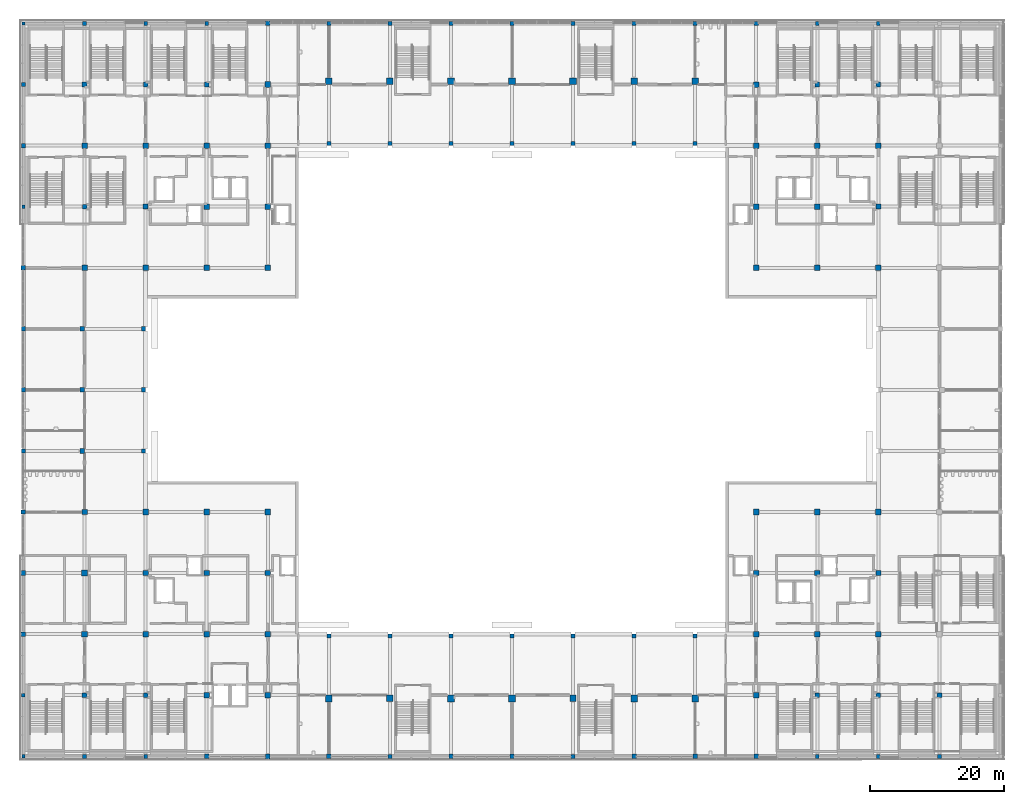
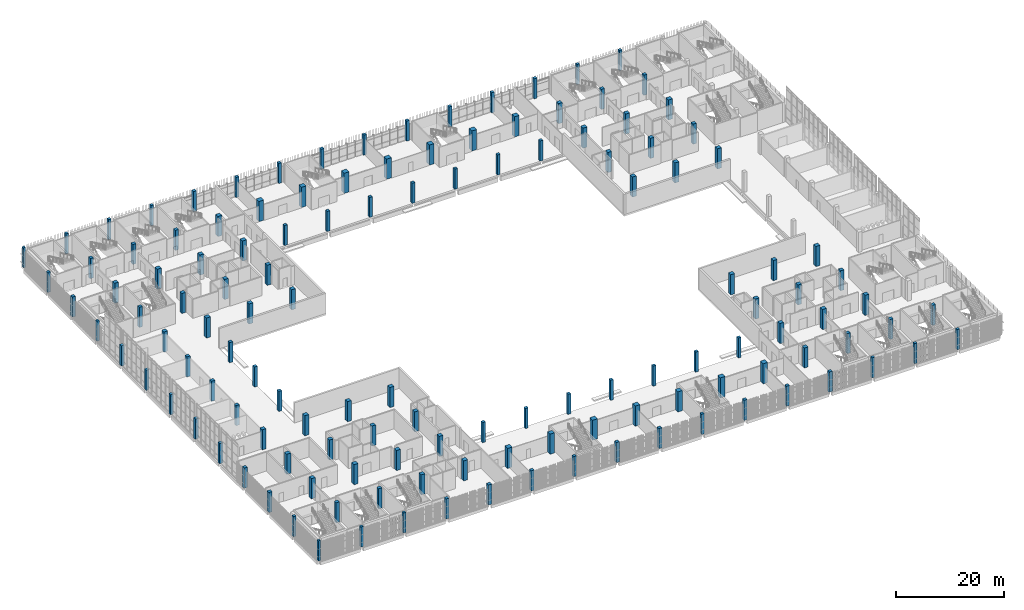
# One storey, part 1 of 126: 133 columns.
"""IFC4 building model written with IfcOpenShell, lengths in metres."""

from ifc_helpers import new_model, si_unit, direction, frame, origin, origin_2d, place, context, subcontext, project, spatial, rectangle, extrude, material, material_profile, profile_set, type_object, element, save


model = new_model("IFC4")

# Units and contexts
model_context = context("Model", 3, precision=1e-05, world=origin(), true_north=direction((0.0, 1.0)))
body_context = subcontext(model_context, "Body", "Model", "MODEL_VIEW")
ifc_project = project(units=[si_unit("LENGTHUNIT", "METRE"), si_unit("AREAUNIT", "SQUARE_METRE"), si_unit("VOLUMEUNIT", "CUBIC_METRE"), si_unit("PLANEANGLEUNIT", "RADIAN"), si_unit("MASSUNIT", "GRAM", prefix="KILO")], contexts=[model_context])

# Site, building, storey
site_placement = place(None, origin())
site = spatial("IfcSite", under=ifc_project, at=site_placement, CompositionType="ELEMENT")
building_placement = place(site_placement, origin())
building = spatial("IfcBuilding", under=site, at=building_placement, Name="Shirokan Park Arena", CompositionType="ELEMENT")
storey_placement = place(building_placement, frame((0.0, 0.0, 6.3701171875)))
storey = spatial("IfcBuildingStorey", under=building, at=storey_placement, Name="L01", CompositionType="ELEMENT", Elevation=6.3701171875)

# Columns
ifc_material = material(Name="Concrete C35", Category="concrete")
ifc_material_profile_1 = material_profile(ifc_material, rectangle(XDim=1.0, YDim=1.0, at=origin_2d()), Name="1000x1000")
ifc_profile_set_1 = profile_set([ifc_material_profile_1], Name="Concrete C35")
column_type_1 = type_object("IfcColumnType", Name="RC column 1000x1000", PredefinedType="COLUMN", material=ifc_profile_set_1)
for number, where, z_axis, x_axis, name in (
    (1, (45.5, 8.60009765625, 0.0), (0.0, 0.0, 1.0), (1.0, 0.0, 0.0), "Column 6B L01"),
    (2, (45.5, 100.60009765625, 0.0), (0.0, 0.0, 1.0), (1.0, 0.0, 0.0), "Column 6M L01"),
    (3, (54.60009765625, 100.60009765625, 0.0), (0.0, 0.0, 1.0), (1.0, 0.0, 0.0), "Column 7M L01"),
    (4, (63.699951171875, 8.60009765625, 0.0), (0.0, 0.0, 1.0), (1.0, 0.0, 0.0), "Column 8B L01"),
    (5, (63.699951171875, 100.60009765625, 0.0), (0.0, 0.0, 1.0), (1.0, 0.0, 0.0), "Column 8M L01"),
    (6, (72.800048828125, 8.60009765625, 0.0), (0.0, 0.0, 1.0), (1.0, 0.0, 0.0), "Column 9B L01"),
    (7, (72.800048828125, 100.60009765625, 0.0), (0.0, 0.0, 1.0), (1.0, 0.0, 0.0), "Column 9M L01"),
    (8, (81.89990234375, 100.60009765625, 0.0), (0.0, 0.0, 1.0), (1.0, 0.0, 0.0), "Column 10M L01"),
    (9, (91.0, 8.60009765625, 0.0), (0.0, 0.0, 1.0), (1.0, 0.0, 0.0), "Column 11B L01"),
    (10, (91.0, 100.60009765625, 0.0), (0.0, 0.0, 1.0), (1.0, 0.0, 0.0), "Column 11M L01"),
    (11, (100.10009765625, 8.60009765625, 0.0), (0.0, 0.0, 1.0), (1.0, 0.0, 0.0), "Column 12B L01"),
    (12, (100.10009765625, 100.60009765625, 0.0), (0.0, 0.0, 1.0), (1.0, 0.0, 0.0), "Column 12M L01"),
):
    element("IfcColumn", number, at=place(storey_placement, frame(where, z_axis=z_axis, x_axis=x_axis)), inside=storey, type_object=column_type_1, Name=name, PredefinedType="COLUMN", context=body_context, shape_type="SweptSolid", body=[
        extrude(rectangle(XDim=1.0, YDim=1.0, at=origin_2d()), origin(), (0.0, 0.0, 1.0), 4.5498046875),
    ])
ifc_material_profile_2 = material_profile(ifc_material, rectangle(XDim=0.5, YDim=0.5, at=origin_2d()), Name="500x500")
ifc_profile_set_2 = profile_set([ifc_material_profile_2], Name="Concrete C35")
column_type_2 = type_object("IfcColumnType", Name="RC column 500x500", PredefinedType="COLUMN", material=ifc_profile_set_2)
for number, where, z_axis, x_axis, name in (
    (13, (0.0, 0.0, 0.0), (0.0, 0.0, 1.0), (1.0, 0.0, 0.0), "Column 1A L01"),
    (14, (0.0, 81.89990234375, 0.0), (0.0, 0.0, 1.0), (1.0, 0.0, 0.0), "Column 1K L01"),
    (15, (0.0, 109.199951171875, 0.0), (0.0, 0.0, 1.0), (1.0, 0.0, 0.0), "Column 1N L01"),
):
    element("IfcColumn", number, at=place(storey_placement, frame(where, z_axis=z_axis, x_axis=x_axis)), inside=storey, type_object=column_type_2, Name=name, PredefinedType="COLUMN", context=body_context, shape_type="SweptSolid", body=[
        extrude(rectangle(XDim=0.5, YDim=0.5, at=origin_2d()), origin(), (0.0, 0.0, 1.0), 4.5498046875),
    ])
ifc_material_profile_3 = material_profile(ifc_material, rectangle(XDim=0.550048828125, YDim=0.550048828125, at=origin_2d()), Name="550x550")
ifc_profile_set_3 = profile_set([ifc_material_profile_3], Name="Concrete C35")
column_type_3 = type_object("IfcColumnType", Name="RC column 550x550", PredefinedType="COLUMN", material=ifc_profile_set_3)
for number, where, z_axis, x_axis, name in (
    (16, (-0.02490234375, 9.10009765625, 0.0), (0.0, 0.0, 1.0), (1.0, 0.0, 0.0), "Column 1B L01"),
    (17, (0.0, 100.10009765625, 0.0), (0.0, 0.0, 1.0), (1.0, 0.0, 0.0), "Column 1M L01"),
    (18, (9.10009765625, -0.02490234375, 0.0), (0.0, 0.0, 1.0), (1.0, 0.0, 0.0), "Column 2A L01"),
    (19, (9.10009765625, 109.199951171875, 0.0), (0.0, 0.0, 1.0), (1.0, 0.0, 0.0), "Column 2N L01"),
    (20, (18.199951171875, -0.02490234375, 0.0), (0.0, 0.0, 1.0), (1.0, 0.0, 0.0), "Column 3A L01"),
    (21, (18.199951171875, 109.199951171875, 0.0), (0.0, 0.0, 1.0), (1.0, 0.0, 0.0), "Column 3N L01"),
    (22, (27.300048828125, 109.199951171875, 0.0), (0.0, 0.0, 1.0), (1.0, 0.0, 0.0), "Column 4N L01"),
    (23, (118.300048828125, -0.02490234375, 0.0), (0.0, 0.0, 1.0), (1.0, 0.0, 0.0), "Column 14A L01"),
    (24, (118.300048828125, 109.199951171875, 0.0), (0.0, 0.0, 1.0), (1.0, 0.0, 0.0), "Column 14N L01"),
    (25, (127.39990234375, -0.02490234375, 0.0), (0.0, 0.0, 1.0), (1.0, 0.0, 0.0), "Column 15A L01"),
    (26, (127.39990234375, 109.199951171875, 0.0), (0.0, 0.0, 1.0), (1.0, 0.0, 0.0), "Column 15N L01"),
    (27, (136.5, -0.02490234375, 0.0), (0.0, 0.0, 1.0), (1.0, 0.0, 0.0), "Column 16A L01"),
):
    element("IfcColumn", number, at=place(storey_placement, frame(where, z_axis=z_axis, x_axis=x_axis)), inside=storey, type_object=column_type_3, Name=name, PredefinedType="COLUMN", context=body_context, shape_type="SweptSolid", body=[
        extrude(rectangle(XDim=0.550048828125, YDim=0.550048828125, at=origin_2d()), origin(), (0.0, 0.0, 1.0), 4.5498046875),
    ])
ifc_material_profile_4 = material_profile(ifc_material, rectangle(XDim=0.60009765625, YDim=0.60009765625, at=origin_2d()), Name="600x600")
ifc_profile_set_4 = profile_set([ifc_material_profile_4], Name="Concrete C35")
column_type_4 = type_object("IfcColumnType", Name="RC column 600x600", PredefinedType="COLUMN", material=ifc_profile_set_4)
for number, where, z_axis, x_axis, name in (
    (28, (45.5, 17.89990234375, 0.0), (0.0, 0.0, 1.0), (1.0, 0.0, 0.0), "Column 6C L01"),
    (29, (45.5, 91.300048828125, 0.0), (0.0, 0.0, 1.0), (1.0, 0.0, 0.0), "Column 6L L01"),
    (30, (45.5, 109.22509765625, 0.0), (0.0, 0.0, 1.0), (1.0, 0.0, 0.0), "Column 6N L01"),
    (31, (54.60009765625, -0.02490234375, 0.0), (0.0, 0.0, 1.0), (1.0, 0.0, 0.0), "Column 7A L01"),
    (32, (54.60009765625, 17.89990234375, 0.0), (0.0, 0.0, 1.0), (1.0, 0.0, 0.0), "Column 7C L01"),
    (33, (54.60009765625, 91.300048828125, 0.0), (0.0, 0.0, 1.0), (1.0, 0.0, 0.0), "Column 7L L01"),
    (34, (54.60009765625, 109.199951171875, 0.0), (0.0, 0.0, 1.0), (1.0, 0.0, 0.0), "Column 7N L01"),
    (35, (63.699951171875, 17.89990234375, 0.0), (0.0, 0.0, 1.0), (1.0, 0.0, 0.0), "Column 8C L01"),
    (36, (63.699951171875, 91.300048828125, 0.0), (0.0, 0.0, 1.0), (1.0, 0.0, 0.0), "Column 8L L01"),
    (37, (63.699951171875, 109.22509765625, 0.0), (0.0, 0.0, 1.0), (1.0, 0.0, 0.0), "Column 8N L01"),
    (38, (72.800048828125, 17.89990234375, 0.0), (0.0, 0.0, 1.0), (1.0, 0.0, 0.0), "Column 9C L01"),
    (39, (72.800048828125, 91.300048828125, 0.0), (0.0, 0.0, 1.0), (1.0, 0.0, 0.0), "Column 9L L01"),
    (40, (72.800048828125, 109.22509765625, 0.0), (0.0, 0.0, 1.0), (1.0, 0.0, 0.0), "Column 9N L01"),
    (41, (81.89990234375, -0.02490234375, 0.0), (0.0, 0.0, 1.0), (1.0, 0.0, 0.0), "Column 10A L01"),
    (42, (81.89990234375, 17.89990234375, 0.0), (0.0, 0.0, 1.0), (1.0, 0.0, 0.0), "Column 10C L01"),
    (43, (81.89990234375, 91.300048828125, 0.0), (0.0, 0.0, 1.0), (1.0, 0.0, 0.0), "Column 10L L01"),
    (44, (81.89990234375, 109.199951171875, 0.0), (0.0, 0.0, 1.0), (1.0, 0.0, 0.0), "Column 10N L01"),
    (45, (91.0, 17.89990234375, 0.0), (0.0, 0.0, 1.0), (1.0, 0.0, 0.0), "Column 11C L01"),
    (46, (91.0, 91.300048828125, 0.0), (0.0, 0.0, 1.0), (1.0, 0.0, 0.0), "Column 11L L01"),
    (47, (91.0, 109.22509765625, 0.0), (0.0, 0.0, 1.0), (1.0, 0.0, 0.0), "Column 11N L01"),
    (48, (100.10009765625, 17.89990234375, 0.0), (0.0, 0.0, 1.0), (1.0, 0.0, 0.0), "Column 12C L01"),
    (49, (100.10009765625, 91.300048828125, 0.0), (0.0, 0.0, 1.0), (1.0, 0.0, 0.0), "Column 12L L01"),
    (50, (100.10009765625, 109.22509765625, 0.0), (0.0, 0.0, 1.0), (1.0, 0.0, 0.0), "Column 12N L01"),
    (51, (109.199951171875, 109.22509765625, 0.0), (0.0, 0.0, 1.0), (1.0, 0.0, 0.0), "Column 13N L01"),
):
    element("IfcColumn", number, at=place(storey_placement, frame(where, z_axis=z_axis, x_axis=x_axis)), inside=storey, type_object=column_type_4, Name=name, PredefinedType="COLUMN", context=body_context, shape_type="SweptSolid", body=[
        extrude(rectangle(XDim=0.60009765625, YDim=0.60009765625, at=origin_2d()), origin(), (0.0, 0.0, 1.0), 4.5498046875),
    ])
ifc_material_profile_5 = material_profile(ifc_material, rectangle(XDim=0.64990234375, YDim=0.64990234375, at=origin_2d()), Name="650x650")
ifc_profile_set_5 = profile_set([ifc_material_profile_5], Name="Concrete C35")
column_type_5 = type_object("IfcColumnType", Name="RC column 650x650", PredefinedType="COLUMN", material=ifc_profile_set_5)
for number, where, z_axis, x_axis, name in (
    (52, (-0.02490234375, 36.39990234375, 0.0), (0.0, 0.0, 1.0), (1.0, 0.0, 0.0), "Column 1E L01"),
    (53, (0.0, 45.5, 0.0), (0.0, 0.0, 1.0), (1.0, 0.0, 0.0), "Column 1F L01"),
    (54, (0.0, 54.60009765625, 0.0), (0.0, 0.0, 1.0), (1.0, 0.0, 0.0), "Column 1G L01"),
    (55, (0.0, 63.699951171875, 0.0), (0.0, 0.0, 1.0), (1.0, 0.0, 0.0), "Column 1H L01"),
    (56, (-0.02490234375, 72.800048828125, 0.0), (0.0, 0.0, 1.0), (1.0, 0.0, 0.0), "Column 1J L01"),
    (57, (0.0, 91.0, 0.0), (0.0, 0.0, 1.0), (1.0, 0.0, 0.0), "Column 1L L01"),
    (58, (9.10009765625, 81.89990234375, 0.0), (0.0, 0.0, 1.0), (1.0, 0.0, 0.0), "Column 2K L01"),
    (59, (17.875, 45.5, 0.0), (0.0, 0.0, 1.0), (1.0, 0.0, 0.0), "Column 3F L01"),
    (60, (17.875, 54.60009765625, 0.0), (0.0, 0.0, 1.0), (1.0, 0.0, 0.0), "Column 3G L01"),
    (61, (17.875, 63.699951171875, 0.0), (0.0, 0.0, 1.0), (1.0, 0.0, 0.0), "Column 3H L01"),
    (62, (27.300048828125, -0.02490234375, 0.0), (0.0, 0.0, 1.0), (1.0, 0.0, 0.0), "Column 4A L01"),
    (63, (36.39990234375, 109.22509765625, 0.0), (0.0, 0.0, 1.0), (1.0, 0.0, 0.0), "Column 5N L01"),
    (64, (45.5, -0.02490234375, 0.0), (0.0, 0.0, 1.0), (1.0, 0.0, 0.0), "Column 6A L01"),
    (65, (63.699951171875, -0.02490234375, 0.0), (0.0, 0.0, 1.0), (1.0, 0.0, 0.0), "Column 8A L01"),
    (66, (72.800048828125, -0.02490234375, 0.0), (0.0, 0.0, 1.0), (1.0, 0.0, 0.0), "Column 9A L01"),
    (67, (91.0, -0.02490234375, 0.0), (0.0, 0.0, 1.0), (1.0, 0.0, 0.0), "Column 11A L01"),
    (68, (100.10009765625, -0.02490234375, 0.0), (0.0, 0.0, 1.0), (1.0, 0.0, 0.0), "Column 12A L01"),
    (69, (109.199951171875, -0.02490234375, 0.0), (0.0, 0.0, 1.0), (1.0, 0.0, 0.0), "Column 13A L01"),
):
    element("IfcColumn", number, at=place(storey_placement, frame(where, z_axis=z_axis, x_axis=x_axis)), inside=storey, type_object=column_type_5, Name=name, PredefinedType="COLUMN", context=body_context, shape_type="SweptSolid", body=[
        extrude(rectangle(XDim=0.64990234375, YDim=0.64990234375, at=origin_2d()), origin(), (0.0, 0.0, 1.0), 4.5498046875),
    ])
ifc_material_profile_6 = material_profile(ifc_material, rectangle(XDim=0.699951171875, YDim=0.699951171875, at=origin_2d()), Name="700x700")
ifc_profile_set_6 = profile_set([ifc_material_profile_6], Name="Concrete C35")
column_type_6 = type_object("IfcColumnType", Name="RC column 700x700", PredefinedType="COLUMN", material=ifc_profile_set_6)
for number, where, z_axis, x_axis, name in (
    (70, (-0.02490234375, 18.199951171875, 0.0), (0.0, 0.0, 1.0), (1.0, 0.0, 0.0), "Column 1C L01"),
    (71, (-0.02490234375, 27.300048828125, 0.0), (0.0, 0.0, 1.0), (1.0, 0.0, 0.0), "Column 1D L01"),
    (72, (9.10009765625, 9.10009765625, 0.0), (0.0, 0.0, 1.0), (1.0, 0.0, 0.0), "Column 2B L01"),
    (73, (8.75, 45.5, 0.0), (0.0, 0.0, 1.0), (1.0, 0.0, 0.0), "Column 2F L01"),
    (74, (8.75, 54.60009765625, 0.0), (0.0, 0.0, 1.0), (1.0, 0.0, 0.0), "Column 2G L01"),
    (75, (8.75, 63.699951171875, 0.0), (0.0, 0.0, 1.0), (1.0, 0.0, 0.0), "Column 2H L01"),
    (76, (9.10009765625, 100.10009765625, 0.0), (0.0, 0.0, 1.0), (1.0, 0.0, 0.0), "Column 2M L01"),
    (77, (18.199951171875, 9.10009765625, 0.0), (0.0, 0.0, 1.0), (1.0, 0.0, 0.0), "Column 3B L01"),
    (78, (18.199951171875, 100.10009765625, 0.0), (0.0, 0.0, 1.0), (1.0, 0.0, 0.0), "Column 3M L01"),
    (79, (27.300048828125, 100.10009765625, 0.0), (0.0, 0.0, 1.0), (1.0, 0.0, 0.0), "Column 4M L01"),
    (80, (36.39990234375, -0.02490234375, 0.0), (0.0, 0.0, 1.0), (1.0, 0.0, 0.0), "Column 5A L01"),
    (81, (118.300048828125, 9.10009765625, 0.0), (0.0, 0.0, 1.0), (1.0, 0.0, 0.0), "Column 14B L01"),
    (82, (118.300048828125, 100.10009765625, 0.0), (0.0, 0.0, 1.0), (1.0, 0.0, 0.0), "Column 14M L01"),
    (83, (127.39990234375, 9.10009765625, 0.0), (0.0, 0.0, 1.0), (1.0, 0.0, 0.0), "Column 15B L01"),
    (84, (127.39990234375, 100.10009765625, 0.0), (0.0, 0.0, 1.0), (1.0, 0.0, 0.0), "Column 15M L01"),
    (85, (136.5, 9.10009765625, 0.0), (0.0, 0.0, 1.0), (1.0, 0.0, 0.0), "Column 16B L01"),
):
    element("IfcColumn", number, at=place(storey_placement, frame(where, z_axis=z_axis, x_axis=x_axis)), inside=storey, type_object=column_type_6, Name=name, PredefinedType="COLUMN", context=body_context, shape_type="SweptSolid", body=[
        extrude(rectangle(XDim=0.699951171875, YDim=0.699951171875, at=origin_2d()), origin(), (0.0, 0.0, 1.0), 4.5498046875),
    ])
ifc_material_profile_7 = material_profile(ifc_material, rectangle(XDim=0.75, YDim=0.75, at=origin_2d()), Name="750x750")
ifc_profile_set_7 = profile_set([ifc_material_profile_7], Name="Concrete C35")
column_type_7 = type_object("IfcColumnType", Name="RC column 750x750", PredefinedType="COLUMN", material=ifc_profile_set_7)
for number, where, z_axis, x_axis, name in (
    (86, (18.199951171875, 81.89990234375, 0.0), (0.0, 0.0, 1.0), (1.0, 0.0, 0.0), "Column 3K L01"),
    (87, (127.39990234375, 27.300048828125, 0.0), (0.0, 0.0, 1.0), (1.0, 0.0, 0.0), "Column 15D L01"),
    (88, (127.39990234375, 81.89990234375, 0.0), (0.0, 0.0, 1.0), (1.0, 0.0, 0.0), "Column 15K L01"),
):
    element("IfcColumn", number, at=place(storey_placement, frame(where, z_axis=z_axis, x_axis=x_axis)), inside=storey, type_object=column_type_7, Name=name, PredefinedType="COLUMN", context=body_context, shape_type="SweptSolid", body=[
        extrude(rectangle(XDim=0.75, YDim=0.75, at=origin_2d()), origin(), (0.0, 0.0, 1.0), 4.5498046875),
    ])
ifc_material_profile_8 = material_profile(ifc_material, rectangle(XDim=0.800048828125, YDim=0.800048828125, at=origin_2d()), Name="800x800")
ifc_profile_set_8 = profile_set([ifc_material_profile_8], Name="Concrete C35")
column_type_8 = type_object("IfcColumnType", Name="RC column 800x800", PredefinedType="COLUMN", material=ifc_profile_set_8)
for number, where, z_axis, x_axis, name in (
    (89, (9.10009765625, 36.39990234375, 0.0), (0.0, 0.0, 1.0), (1.0, 0.0, 0.0), "Column 2E L01"),
    (90, (9.10009765625, 72.800048828125, 0.0), (0.0, 0.0, 1.0), (1.0, 0.0, 0.0), "Column 2J L01"),
    (91, (9.10009765625, 91.0, 0.0), (0.0, 0.0, 1.0), (1.0, 0.0, 0.0), "Column 2L L01"),
    (92, (18.199951171875, 27.300048828125, 0.0), (0.0, 0.0, 1.0), (1.0, 0.0, 0.0), "Column 3D L01"),
    (93, (27.300048828125, 9.10009765625, 0.0), (0.0, 0.0, 1.0), (1.0, 0.0, 0.0), "Column 4B L01"),
    (94, (27.300048828125, 27.300048828125, 0.0), (0.0, 0.0, 1.0), (1.0, 0.0, 0.0), "Column 4D L01"),
    (95, (27.300048828125, 81.89990234375, 0.0), (0.0, 0.0, 1.0), (1.0, 0.0, 0.0), "Column 4K L01"),
    (96, (36.39990234375, 27.300048828125, 0.0), (0.0, 0.0, 1.0), (1.0, 0.0, 0.0), "Column 5D L01"),
    (97, (36.39990234375, 81.89990234375, 0.0), (0.0, 0.0, 1.0), (1.0, 0.0, 0.0), "Column 5K L01"),
    (98, (109.199951171875, 9.10009765625, 0.0), (0.0, 0.0, 1.0), (1.0, 0.0, 0.0), "Column 13B L01"),
    (99, (109.199951171875, 27.300048828125, 0.0), (0.0, 0.0, 1.0), (1.0, 0.0, 0.0), "Column 13D L01"),
    (100, (109.199951171875, 81.89990234375, 0.0), (0.0, 0.0, 1.0), (1.0, 0.0, 0.0), "Column 13K L01"),
    (101, (109.199951171875, 100.10009765625, 0.0), (0.0, 0.0, 1.0), (1.0, 0.0, 0.0), "Column 13M L01"),
    (102, (118.300048828125, 27.300048828125, 0.0), (0.0, 0.0, 1.0), (1.0, 0.0, 0.0), "Column 14D L01"),
    (103, (118.300048828125, 81.89990234375, 0.0), (0.0, 0.0, 1.0), (1.0, 0.0, 0.0), "Column 14K L01"),
):
    element("IfcColumn", number, at=place(storey_placement, frame(where, z_axis=z_axis, x_axis=x_axis)), inside=storey, type_object=column_type_8, Name=name, PredefinedType="COLUMN", context=body_context, shape_type="SweptSolid", body=[
        extrude(rectangle(XDim=0.800048828125, YDim=0.800048828125, at=origin_2d()), origin(), (0.0, 0.0, 1.0), 4.5498046875),
    ])
ifc_material_profile_9 = material_profile(ifc_material, rectangle(XDim=0.85009765625, YDim=0.85009765625, at=origin_2d()), Name="850x850")
ifc_profile_set_9 = profile_set([ifc_material_profile_9], Name="Concrete C35")
column_type_9 = type_object("IfcColumnType", Name="RC column 850x850", PredefinedType="COLUMN", material=ifc_profile_set_9)
for number, where, z_axis, x_axis, name in (
    (104, (9.10009765625, 18.199951171875, 0.0), (0.0, 0.0, 1.0), (1.0, 0.0, 0.0), "Column 2C L01"),
    (105, (9.10009765625, 27.300048828125, 0.0), (0.0, 0.0, 1.0), (1.0, 0.0, 0.0), "Column 2D L01"),
    (106, (18.199951171875, 18.199951171875, 0.0), (0.0, 0.0, 1.0), (1.0, 0.0, 0.0), "Column 3C L01"),
    (107, (18.199951171875, 36.39990234375, 0.0), (0.0, 0.0, 1.0), (1.0, 0.0, 0.0), "Column 3E L01"),
    (108, (18.199951171875, 72.800048828125, 0.0), (0.0, 0.0, 1.0), (1.0, 0.0, 0.0), "Column 3J L01"),
    (109, (18.199951171875, 91.0, 0.0), (0.0, 0.0, 1.0), (1.0, 0.0, 0.0), "Column 3L L01"),
    (110, (27.300048828125, 18.199951171875, 0.0), (0.0, 0.0, 1.0), (1.0, 0.0, 0.0), "Column 4C L01"),
    (111, (27.300048828125, 36.39990234375, 0.0), (0.0, 0.0, 1.0), (1.0, 0.0, 0.0), "Column 4E L01"),
    (112, (27.300048828125, 72.800048828125, 0.0), (0.0, 0.0, 1.0), (1.0, 0.0, 0.0), "Column 4J L01"),
    (113, (27.300048828125, 91.0, 0.0), (0.0, 0.0, 1.0), (1.0, 0.0, 0.0), "Column 4L L01"),
    (114, (36.39990234375, 9.10009765625, 0.0), (0.0, 0.0, 1.0), (1.0, 0.0, 0.0), "Column 5B L01"),
    (115, (36.39990234375, 18.199951171875, 0.0), (0.0, 0.0, 1.0), (1.0, 0.0, 0.0), "Column 5C L01"),
    (116, (36.39990234375, 36.39990234375, 0.0), (0.0, 0.0, 1.0), (1.0, 0.0, 0.0), "Column 5E L01"),
    (117, (36.39990234375, 72.800048828125, 0.0), (0.0, 0.0, 1.0), (1.0, 0.0, 0.0), "Column 5J L01"),
    (118, (36.39990234375, 91.0, 0.0), (0.0, 0.0, 1.0), (1.0, 0.0, 0.0), "Column 5L L01"),
    (119, (36.39990234375, 100.10009765625, 0.0), (0.0, 0.0, 1.0), (1.0, 0.0, 0.0), "Column 5M L01"),
    (120, (109.199951171875, 18.199951171875, 0.0), (0.0, 0.0, 1.0), (1.0, 0.0, 0.0), "Column 13C L01"),
    (121, (109.199951171875, 36.39990234375, 0.0), (0.0, 0.0, 1.0), (1.0, 0.0, 0.0), "Column 13E L01"),
    (122, (109.199951171875, 72.800048828125, 0.0), (0.0, 0.0, 1.0), (1.0, 0.0, 0.0), "Column 13J L01"),
    (123, (109.199951171875, 91.0, 0.0), (0.0, 0.0, 1.0), (1.0, 0.0, 0.0), "Column 13L L01"),
    (124, (118.300048828125, 18.199951171875, 0.0), (0.0, 0.0, 1.0), (1.0, 0.0, 0.0), "Column 14C L01"),
    (125, (118.300048828125, 36.39990234375, 0.0), (0.0, 0.0, 1.0), (1.0, 0.0, 0.0), "Column 14E L01"),
    (126, (118.300048828125, 72.800048828125, 0.0), (0.0, 0.0, 1.0), (1.0, 0.0, 0.0), "Column 14J L01"),
    (127, (118.300048828125, 91.0, 0.0), (0.0, 0.0, 1.0), (1.0, 0.0, 0.0), "Column 14L L01"),
    (128, (127.39990234375, 18.199951171875, 0.0), (0.0, 0.0, 1.0), (1.0, 0.0, 0.0), "Column 15C L01"),
    (129, (127.39990234375, 36.39990234375, 0.0), (0.0, 0.0, 1.0), (1.0, 0.0, 0.0), "Column 15E L01"),
    (130, (127.39990234375, 72.800048828125, 0.0), (0.0, 0.0, 1.0), (1.0, 0.0, 0.0), "Column 15J L01"),
    (131, (127.39990234375, 91.0, 0.0), (0.0, 0.0, 1.0), (1.0, 0.0, 0.0), "Column 15L L01"),
):
    element("IfcColumn", number, at=place(storey_placement, frame(where, z_axis=z_axis, x_axis=x_axis)), inside=storey, type_object=column_type_9, Name=name, PredefinedType="COLUMN", context=body_context, shape_type="SweptSolid", body=[
        extrude(rectangle(XDim=0.85009765625, YDim=0.85009765625, at=origin_2d()), origin(), (0.0, 0.0, 1.0), 4.5498046875),
    ])
ifc_material_profile_10 = material_profile(ifc_material, rectangle(XDim=0.949951171875, YDim=0.949951171875, at=origin_2d()), Name="950x950")
ifc_profile_set_10 = profile_set([ifc_material_profile_10], Name="Concrete C35")
column_type_10 = type_object("IfcColumnType", Name="RC column 950x950", PredefinedType="COLUMN", material=ifc_profile_set_10)
for number, where, z_axis, x_axis, name in (
    (132, (54.60009765625, 8.625, 0.0), (0.0, 0.0, 1.0), (1.0, 0.0, 0.0), "Column 7B L01"),
    (133, (81.89990234375, 8.625, 0.0), (0.0, 0.0, 1.0), (1.0, 0.0, 0.0), "Column 10B L01"),
):
    element("IfcColumn", number, at=place(storey_placement, frame(where, z_axis=z_axis, x_axis=x_axis)), inside=storey, type_object=column_type_10, Name=name, PredefinedType="COLUMN", context=body_context, shape_type="SweptSolid", body=[
        extrude(rectangle(XDim=0.949951171875, YDim=0.949951171875, at=origin_2d()), origin(), (0.0, 0.0, 1.0), 4.5498046875),
    ])

save(model, "model.ifc")
